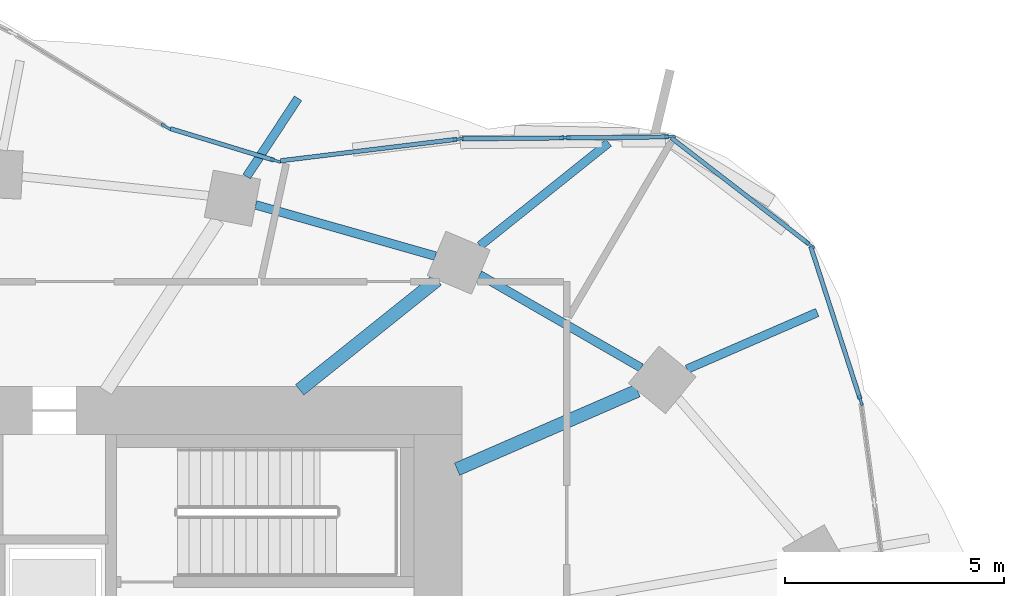
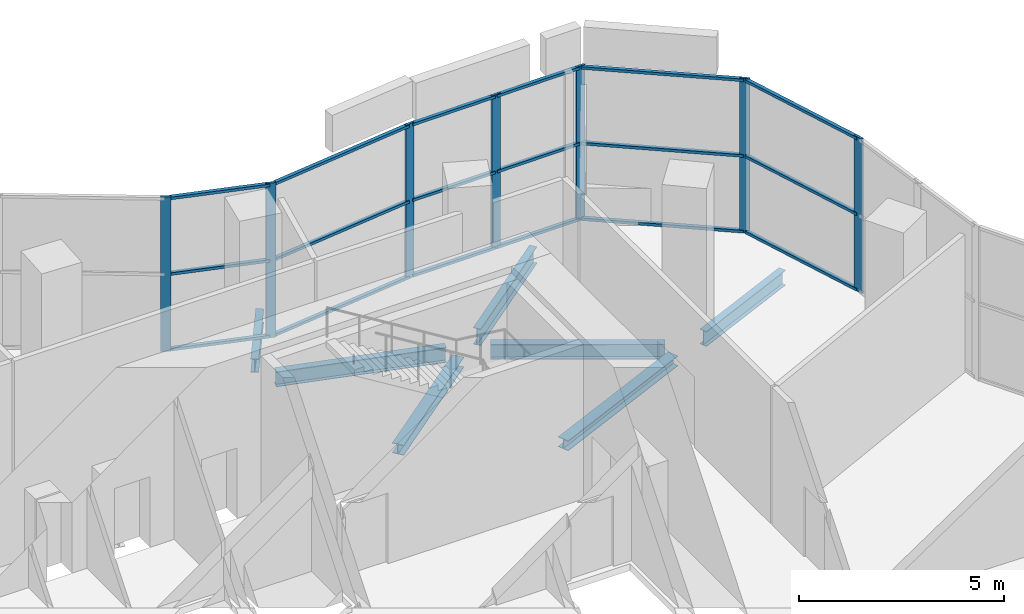
# One storey, part 8 of 16: 25 members, 7 beams, 6 elements without a shape of their own.
"""IFC4 building model written with IfcOpenShell, lengths in metres."""

from ifc_helpers import new_model, si_unit, direction, frame, origin, origin_2d, place, context, subcontext, project, spatial, rectangle, i_section, extrude, material, material_profile, profile_set, type_object, element, aggregate, save


model = new_model("IFC4")

# Units and contexts
model_context = context("Model", 3, precision=1e-05, world=origin(), true_north=direction((0.0, 1.0)))
body_context = subcontext(model_context, "Body", "Model", "MODEL_VIEW")
ifc_project = project(units=[si_unit("LENGTHUNIT", "METRE"), si_unit("AREAUNIT", "SQUARE_METRE"), si_unit("VOLUMEUNIT", "CUBIC_METRE"), si_unit("PLANEANGLEUNIT", "RADIAN"), si_unit("MASSUNIT", "GRAM", prefix="KILO")], contexts=[model_context])

# Site, building, storey
site_placement = place(None, origin())
site = spatial("IfcSite", under=ifc_project, at=site_placement, CompositionType="ELEMENT")
building_placement = place(site_placement, origin())
building = spatial("IfcBuilding", under=site, at=building_placement, Name="Rubra Terraces Tower", CompositionType="ELEMENT")
storey_placement = place(building_placement, frame((0.0, 0.0, 125.699951171875)))
storey = spatial("IfcBuildingStorey", under=building, at=storey_placement, Name="L30", CompositionType="ELEMENT", Elevation=125.699951171875)

# Beams
ifc_material_1 = material(Name="Steel Q355B", Category="steel")
ifc_material_profile_1 = material_profile(ifc_material_1, i_section(OverallWidth=0.199951171875, OverallDepth=0.39990234375, WebThickness=0.008056640625, FlangeThickness=0.012939453125, at=origin_2d()), Name="HN 400x200x8x13")
ifc_profile_set_1 = profile_set([ifc_material_profile_1], Name="Steel Q355B")
beam_type_1 = type_object("IfcBeamType", Name="CANTILEVER BEAM HN 400x200x8x13", PredefinedType="BEAM", material=ifc_profile_set_1)
beam_1_placement = place(storey_placement, frame((8.076904296875, 16.803955078125, -0.39990234375), z_axis=(0.549084625488, 0.835766758164, 0.0), x_axis=(-0.835766758164, 0.549084625488, 0.0)))
element("IfcBeam", 1, at=beam_1_placement, inside=storey, type_object=beam_type_1, Name="beam-L30-cant-05", PredefinedType="BEAM", context=body_context, shape_type="SweptSolid", body=[
    extrude(i_section(OverallWidth=0.199951171875, OverallDepth=0.39990234375, WebThickness=0.008056640625, FlangeThickness=0.012939453125, at=origin_2d()), origin(), (0.0, 0.0, 1.0), 2.141845703125),
])
ifc_material_profile_2 = material_profile(ifc_material_1, i_section(OverallWidth=0.198974609375, OverallDepth=0.446044921875, WebThickness=0.008056640625, FlangeThickness=0.011962890625, at=origin_2d()), Name="HN 446x199x8x12")
ifc_profile_set_2 = profile_set([ifc_material_profile_2], Name="Steel Q355B")
beam_type_2 = type_object("IfcBeamType", Name="CANTILEVER BEAM HN 446x199x8x12", PredefinedType="BEAM", material=ifc_profile_set_2)
beam_2_placement = place(storey_placement, frame((18.14990234375, 12.39697265625, -0.4228515625), z_axis=(0.916903974268, 0.399107882622, 0.0), x_axis=(-0.399107882622, 0.916903974268, 0.0)))
element("IfcBeam", 2, at=beam_2_placement, inside=storey, type_object=beam_type_2, Name="beam-L30-cant-03", PredefinedType="BEAM", context=body_context, shape_type="SweptSolid", body=[
    extrude(i_section(OverallWidth=0.198974609375, OverallDepth=0.446044921875, WebThickness=0.008056640625, FlangeThickness=0.011962890625, at=origin_2d()), origin(), (0.0, 0.0, 1.0), 3.25),
])
ifc_material_profile_3 = material_profile(ifc_material_1, i_section(OverallWidth=0.198974609375, OverallDepth=0.49609375, WebThickness=0.009033203125, FlangeThickness=0.013916015625, at=origin_2d()), Name="HN 496x199x9x14")
ifc_profile_set_3 = profile_set([ifc_material_profile_3], Name="Steel Q355B")
beam_type_3 = type_object("IfcBeamType", Name="CANTILEVER BEAM HN 496x199x9x14", PredefinedType="BEAM", material=ifc_profile_set_3)
beam_3_placement = place(storey_placement, frame((13.416015625, 15.222900390625, -0.447998046875), z_axis=(0.781134074702, 0.624363321584, 0.0), x_axis=(-0.624363321584, 0.781134074702, 0.0)))
element("IfcBeam", 3, at=beam_3_placement, inside=storey, type_object=beam_type_3, Name="beam-L30-cant-04", PredefinedType="BEAM", context=body_context, shape_type="SweptSolid", body=[
    extrude(i_section(OverallWidth=0.198974609375, OverallDepth=0.49609375, WebThickness=0.009033203125, FlangeThickness=0.013916015625, at=origin_2d()), origin(), (0.0, 0.0, 1.0), 3.770263671875),
])
ifc_material_profile_4 = material_profile(ifc_material_1, i_section(OverallWidth=0.304931640625, OverallDepth=0.300048828125, WebThickness=0.014892578125, FlangeThickness=0.014892578125, at=origin_2d()), Name="HW 300x305x15x15")
ifc_profile_set_4 = profile_set([ifc_material_profile_4], Name="Steel Q355B")
beam_type_4 = type_object("IfcBeamType", Name="FLOOR BEAM HW 300x305x15x15", PredefinedType="BEAM", material=ifc_profile_set_4)
beam_4_placement = place(storey_placement, frame((17.01806640625, 11.905029296875, -0.349853515625), z_axis=(-0.916965704309, -0.398966035047, 0.0), x_axis=(0.398966035047, -0.916965704309, 0.0)))
element("IfcBeam", 4, at=beam_4_placement, inside=storey, type_object=beam_type_4, Name="beam-L30-floor-03", PredefinedType="BEAM", context=body_context, shape_type="SweptSolid", body=[
    extrude(i_section(OverallWidth=0.304931640625, OverallDepth=0.300048828125, WebThickness=0.014892578125, FlangeThickness=0.014892578125, at=origin_2d()), origin(), (0.0, 0.0, 1.0), 4.501953125),
])
beam_5_placement = place(storey_placement, frame((12.43798828125, 14.44091796875, -0.349853515625), z_axis=(-0.781170160898, -0.624318171867, 0.0), x_axis=(0.624318171867, -0.781170160898, 0.0)))
element("IfcBeam", 5, at=beam_5_placement, inside=storey, type_object=beam_type_4, Name="beam-L30-floor-04", PredefinedType="BEAM", context=body_context, shape_type="SweptSolid", body=[
    extrude(i_section(OverallWidth=0.304931640625, OverallDepth=0.300048828125, WebThickness=0.014892578125, FlangeThickness=0.014892578125, at=origin_2d()), origin(), (0.0, 0.0, 1.0), 4.02978515625),
])
ifc_material_profile_5 = material_profile(ifc_material_1, i_section(OverallWidth=0.198974609375, OverallDepth=0.446044921875, WebThickness=0.008056640625, FlangeThickness=0.011962890625, at=origin_2d()), Name="HN 446x199x8x12")
ifc_profile_set_5 = profile_set([ifc_material_profile_5], Name="Steel Q355B")
beam_type_5 = type_object("IfcBeamType", Name="SPANDREL BEAM HN 446x199x8x12", PredefinedType="SPANDREL", material=ifc_profile_set_5)
beam_6_placement = place(storey_placement, frame((17.10009765625, 12.428955078125, -0.4228515625), z_axis=(-0.866560147027, 0.49907265161, 0.0), x_axis=(-0.49907265161, -0.866560147027, 0.0)))
element("IfcBeam", 6, at=beam_6_placement, inside=storey, type_object=beam_type_5, Name="beam-L30-spandrel-03", PredefinedType="SPANDREL", context=body_context, shape_type="SweptSolid", body=[
    extrude(i_section(OverallWidth=0.198974609375, OverallDepth=0.446044921875, WebThickness=0.008056640625, FlangeThickness=0.011962890625, at=origin_2d()), origin(), (0.0, 0.0, 1.0), 4.26171875),
])
beam_7_placement = place(storey_placement, frame((12.39404296875, 14.98388671875, -0.4228515625), z_axis=(-0.961693978406, 0.274125321518, 0.0), x_axis=(-0.274125321518, -0.961693978406, 0.0)))
element("IfcBeam", 7, at=beam_7_placement, inside=storey, type_object=beam_type_5, Name="beam-L30-spandrel-04", PredefinedType="SPANDREL", context=body_context, shape_type="SweptSolid", body=[
    extrude(i_section(OverallWidth=0.198974609375, OverallDepth=0.446044921875, WebThickness=0.008056640625, FlangeThickness=0.011962890625, at=origin_2d()), origin(), (0.0, 0.0, 1.0), 4.27587890625),
])

# Curtain wall, member
ifc_material_2 = material(Name="Aluminium and glass", Category="aluminium")
curtain_wall_type = type_object("IfcCurtainWallType", Name="Curtain wall Sky lobby glazing", PredefinedType="NOTDEFINED", material=ifc_material_2)
curtain_wall_1_placement = place(storey_placement, origin())
curtain_wall_1 = element("IfcCurtainWall", 8, at=curtain_wall_1_placement, inside=storey, type_object=curtain_wall_type, Name="L30 glazing bay 4", PredefinedType="NOTDEFINED")
ifc_material_3 = material(Name="Aluminium, anodised dark grey", Category="aluminium")
ifc_material_profile_6 = material_profile(ifc_material_3, rectangle(XDim=0.06005859375, YDim=0.25, at=origin_2d()), Name="AL 60x250")
ifc_profile_set_6 = profile_set([ifc_material_profile_6], Name="Aluminium, anodised dark grey")
member_type_1 = type_object("IfcMemberType", Name="Sky lobby glazing mullion 60 x 250", PredefinedType="MULLION", material=ifc_profile_set_6)
member_1_placement = place(storey_placement, frame((22.119140625, 11.687744140625, 0.0), z_axis=(0.0, 0.0, 1.0), x_axis=(-0.95128002407, -0.308328259824, 0.0)))
member_1 = element("IfcMember", 9, at=member_1_placement, type_object=member_type_1, Name="CW2 mullion 1", PredefinedType="MULLION", context=body_context, shape_type="SweptSolid", body=[
    extrude(rectangle(XDim=0.06005859375, YDim=0.25, at=origin_2d()), origin(), (0.0, 0.0, 1.0), 4.60009765625),
])

curtain_wall_2_placement = place(storey_placement, origin())
curtain_wall_2 = element("IfcCurtainWall", 10, at=curtain_wall_2_placement, inside=storey, type_object=curtain_wall_type, Name="L30 glazing bay 5", PredefinedType="NOTDEFINED")
member_2_placement = place(storey_placement, frame((20.96337890625, 15.240966796875, 0.0), z_axis=(0.0, 0.0, 1.0), x_axis=(-0.610947607117, -0.791671031021, 0.0)))
member_2 = element("IfcMember", 11, at=member_2_placement, type_object=member_type_1, Name="CW2 mullion 1", PredefinedType="MULLION", context=body_context, shape_type="SweptSolid", body=[
    extrude(rectangle(XDim=0.06005859375, YDim=0.25, at=origin_2d()), origin(), (0.0, 0.0, 1.0), 4.60009765625),
])

# Curtain wall, members
curtain_wall_3_placement = place(storey_placement, origin())
curtain_wall_3 = element("IfcCurtainWall", 12, at=curtain_wall_3_placement, inside=storey, type_object=curtain_wall_type, Name="L30 glazing bay 6", PredefinedType="NOTDEFINED")
member_3_placement = place(storey_placement, frame((17.7568359375, 17.711669921875, 0.0), z_axis=(0.0, 0.0, 1.0), x_axis=(0.0099842364, -0.99995015627, 0.0)))
member_3 = element("IfcMember", 13, at=member_3_placement, type_object=member_type_1, Name="CW2 mullion 1", PredefinedType="MULLION", context=body_context, shape_type="SweptSolid", body=[
    extrude(rectangle(XDim=0.06005859375, YDim=0.25, at=origin_2d()), origin(), (0.0, 0.0, 1.0), 4.60009765625),
])
member_4_placement = place(storey_placement, frame((15.363037109375, 17.687744140625, 0.0), z_axis=(0.0, 0.0, 1.0), x_axis=(0.0099842364, -0.99995015627, 0.0)))
member_4 = element("IfcMember", 14, at=member_4_placement, type_object=member_type_1, Name="CW2 mullion 2", PredefinedType="MULLION", context=body_context, shape_type="SweptSolid", body=[
    extrude(rectangle(XDim=0.06005859375, YDim=0.25, at=origin_2d()), origin(), (0.0, 0.0, 1.0), 4.60009765625),
])

# Curtain wall, member
curtain_wall_4_placement = place(storey_placement, origin())
curtain_wall_4 = element("IfcCurtainWall", 15, at=curtain_wall_4_placement, inside=storey, type_object=curtain_wall_type, Name="L30 glazing bay 7", PredefinedType="NOTDEFINED")
member_5_placement = place(storey_placement, frame((12.917724609375, 17.660400390625, 0.0), z_axis=(0.0, 0.0, 1.0), x_axis=(0.121023952312, -0.992649587199, 0.0)))
member_5 = element("IfcMember", 16, at=member_5_placement, type_object=member_type_1, Name="CW2 mullion 1", PredefinedType="MULLION", context=body_context, shape_type="SweptSolid", body=[
    extrude(rectangle(XDim=0.06005859375, YDim=0.25, at=origin_2d()), origin(), (0.0, 0.0, 1.0), 4.60009765625),
])

curtain_wall_5_placement = place(storey_placement, origin())
curtain_wall_5 = element("IfcCurtainWall", 17, at=curtain_wall_5_placement, inside=storey, type_object=curtain_wall_type, Name="L30 glazing bay 8", PredefinedType="NOTDEFINED")
member_6_placement = place(storey_placement, frame((8.733154296875, 17.1689453125, 0.0), z_axis=(0.0, 0.0, 1.0), x_axis=(-0.291224321899, -0.956654793713, 0.0)))
member_6 = element("IfcMember", 18, at=member_6_placement, type_object=member_type_1, Name="CW2 mullion 1", PredefinedType="MULLION", context=body_context, shape_type="SweptSolid", body=[
    extrude(rectangle(XDim=0.06005859375, YDim=0.25, at=origin_2d()), origin(), (0.0, 0.0, 1.0), 4.60009765625),
])

curtain_wall_6_placement = place(storey_placement, origin())
curtain_wall_6 = element("IfcCurtainWall", 19, at=curtain_wall_6_placement, inside=storey, type_object=curtain_wall_type, Name="L30 glazing bay 9", PredefinedType="NOTDEFINED")
member_7_placement = place(storey_placement, frame((6.22998046875, 17.941162109375, 0.0), z_axis=(0.0, 0.0, 1.0), x_axis=(-0.522031140305, -0.852926426225, 0.0)))
member_7 = element("IfcMember", 20, at=member_7_placement, type_object=member_type_1, Name="CW2 mullion 1", PredefinedType="MULLION", context=body_context, shape_type="SweptSolid", body=[
    extrude(rectangle(XDim=0.06005859375, YDim=0.25, at=origin_2d()), origin(), (0.0, 0.0, 1.0), 4.60009765625),
])
aggregate(curtain_wall_6, [member_7])

# Member
ifc_material_profile_7 = material_profile(ifc_material_3, rectangle(XDim=0.10009765625, YDim=0.080078125, at=origin_2d()), Name="AL 100x80")
ifc_profile_set_7 = profile_set([ifc_material_profile_7], Name="Aluminium, anodised dark grey")
member_type_2 = type_object("IfcMemberType", Name="Sky lobby glazing transom 100 x 80", PredefinedType="USERDEFINED", material=ifc_profile_set_7)
member_8_placement = place(storey_placement, frame((22.10986328125, 11.71630859375, 0.050048828125), z_axis=(-0.308301011025, 0.951288855501, 0.0), x_axis=(-0.951288855501, -0.308301011025, 0.0)))
member_8 = element("IfcMember", 21, at=member_8_placement, type_object=member_type_2, Name="CW2 transom 1.1", ObjectType="TRANSOM", PredefinedType="USERDEFINED", context=body_context, shape_type="SweptSolid", body=[
    extrude(rectangle(XDim=0.10009765625, YDim=0.080078125, at=origin_2d()), origin(), (0.0, 0.0, 1.0), 3.6640625),
])

member_9_placement = place(storey_placement, frame((22.10986328125, 11.71630859375, 2.300048828125), z_axis=(-0.308301011025, 0.951288855501, 0.0), x_axis=(-0.951288855501, -0.308301011025, 0.0)))
member_9 = element("IfcMember", 22, at=member_9_placement, type_object=member_type_2, Name="CW2 transom 1.2", ObjectType="TRANSOM", PredefinedType="USERDEFINED", context=body_context, shape_type="SweptSolid", body=[
    extrude(rectangle(XDim=0.10009765625, YDim=0.080078125, at=origin_2d()), origin(), (0.0, 0.0, 1.0), 3.6640625),
])

member_10_placement = place(storey_placement, frame((22.10986328125, 11.71630859375, 4.550048828125), z_axis=(-0.308301011025, 0.951288855501, 0.0), x_axis=(-0.951288855501, -0.308301011025, 0.0)))
member_10 = element("IfcMember", 23, at=member_10_placement, type_object=member_type_2, Name="CW2 transom 1.3", ObjectType="TRANSOM", PredefinedType="USERDEFINED", context=body_context, shape_type="SweptSolid", body=[
    extrude(rectangle(XDim=0.10009765625, YDim=0.080078125, at=origin_2d()), origin(), (0.0, 0.0, 1.0), 3.6640625),
])

aggregate(curtain_wall_1, [member_1, member_8, member_9, member_10])

member_11_placement = place(storey_placement, frame((20.939697265625, 15.25927734375, 0.050048828125), z_axis=(-0.791665272733, 0.610955068683, 0.0), x_axis=(-0.610955068683, -0.791665272733, 0.0)))
member_11 = element("IfcMember", 24, at=member_11_placement, type_object=member_type_2, Name="CW2 transom 1.1", ObjectType="TRANSOM", PredefinedType="USERDEFINED", context=body_context, shape_type="SweptSolid", body=[
    extrude(rectangle(XDim=0.10009765625, YDim=0.080078125, at=origin_2d()), origin(), (0.0, 0.0, 1.0), 3.97998046875),
])

member_12_placement = place(storey_placement, frame((20.939697265625, 15.25927734375, 2.300048828125), z_axis=(-0.791665272733, 0.610955068683, 0.0), x_axis=(-0.610955068683, -0.791665272733, 0.0)))
member_12 = element("IfcMember", 25, at=member_12_placement, type_object=member_type_2, Name="CW2 transom 1.2", ObjectType="TRANSOM", PredefinedType="USERDEFINED", context=body_context, shape_type="SweptSolid", body=[
    extrude(rectangle(XDim=0.10009765625, YDim=0.080078125, at=origin_2d()), origin(), (0.0, 0.0, 1.0), 3.97998046875),
])

member_13_placement = place(storey_placement, frame((20.939697265625, 15.25927734375, 4.550048828125), z_axis=(-0.791665272733, 0.610955068683, 0.0), x_axis=(-0.610955068683, -0.791665272733, 0.0)))
member_13 = element("IfcMember", 26, at=member_13_placement, type_object=member_type_2, Name="CW2 transom 1.3", ObjectType="TRANSOM", PredefinedType="USERDEFINED", context=body_context, shape_type="SweptSolid", body=[
    extrude(rectangle(XDim=0.10009765625, YDim=0.080078125, at=origin_2d()), origin(), (0.0, 0.0, 1.0), 3.97998046875),
])

aggregate(curtain_wall_2, [member_2, member_11, member_12, member_13])

member_14_placement = place(storey_placement, frame((17.726806640625, 17.71142578125, 0.050048828125), z_axis=(-0.999949573979, -0.010042385093, 0.0), x_axis=(0.010042385093, -0.999949573979, 0.0)))
member_14 = element("IfcMember", 27, at=member_14_placement, type_object=member_type_2, Name="CW2 transom 1.1", ObjectType="TRANSOM", PredefinedType="USERDEFINED", context=body_context, shape_type="SweptSolid", body=[
    extrude(rectangle(XDim=0.10009765625, YDim=0.080078125, at=origin_2d()), origin(), (0.0, 0.0, 1.0), 2.333740234375),
])

member_15_placement = place(storey_placement, frame((17.726806640625, 17.71142578125, 2.300048828125), z_axis=(-0.999949573979, -0.010042385093, 0.0), x_axis=(0.010042385093, -0.999949573979, 0.0)))
member_15 = element("IfcMember", 28, at=member_15_placement, type_object=member_type_2, Name="CW2 transom 1.2", ObjectType="TRANSOM", PredefinedType="USERDEFINED", context=body_context, shape_type="SweptSolid", body=[
    extrude(rectangle(XDim=0.10009765625, YDim=0.080078125, at=origin_2d()), origin(), (0.0, 0.0, 1.0), 2.333740234375),
])

member_16_placement = place(storey_placement, frame((17.726806640625, 17.71142578125, 4.550048828125), z_axis=(-0.999949573979, -0.010042385093, 0.0), x_axis=(0.010042385093, -0.999949573979, 0.0)))
member_16 = element("IfcMember", 29, at=member_16_placement, type_object=member_type_2, Name="CW2 transom 1.3", ObjectType="TRANSOM", PredefinedType="USERDEFINED", context=body_context, shape_type="SweptSolid", body=[
    extrude(rectangle(XDim=0.10009765625, YDim=0.080078125, at=origin_2d()), origin(), (0.0, 0.0, 1.0), 2.333740234375),
])

member_17_placement = place(storey_placement, frame((15.3330078125, 17.6875, 0.050048828125), z_axis=(-0.99995060864, -0.009938826932, 0.0), x_axis=(0.009938826932, -0.99995060864, 0.0)))
member_17 = element("IfcMember", 30, at=member_17_placement, type_object=member_type_2, Name="CW2 transom 2.1", ObjectType="TRANSOM", PredefinedType="USERDEFINED", context=body_context, shape_type="SweptSolid", body=[
    extrude(rectangle(XDim=0.10009765625, YDim=0.080078125, at=origin_2d()), origin(), (0.0, 0.0, 1.0), 2.33349609375),
])

member_18_placement = place(storey_placement, frame((15.3330078125, 17.6875, 2.300048828125), z_axis=(-0.99995060864, -0.009938826932, 0.0), x_axis=(0.009938826932, -0.99995060864, 0.0)))
member_18 = element("IfcMember", 31, at=member_18_placement, type_object=member_type_2, Name="CW2 transom 2.2", ObjectType="TRANSOM", PredefinedType="USERDEFINED", context=body_context, shape_type="SweptSolid", body=[
    extrude(rectangle(XDim=0.10009765625, YDim=0.080078125, at=origin_2d()), origin(), (0.0, 0.0, 1.0), 2.33349609375),
])

member_19_placement = place(storey_placement, frame((15.3330078125, 17.6875, 4.550048828125), z_axis=(-0.99995060864, -0.009938826932, 0.0), x_axis=(0.009938826932, -0.99995060864, 0.0)))
member_19 = element("IfcMember", 32, at=member_19_placement, type_object=member_type_2, Name="CW2 transom 2.3", ObjectType="TRANSOM", PredefinedType="USERDEFINED", context=body_context, shape_type="SweptSolid", body=[
    extrude(rectangle(XDim=0.10009765625, YDim=0.080078125, at=origin_2d()), origin(), (0.0, 0.0, 1.0), 2.33349609375),
])

aggregate(curtain_wall_3, [member_3, member_4, member_14, member_15, member_16, member_17, member_18, member_19])

member_20_placement = place(storey_placement, frame((12.887939453125, 17.65673828125, 0.050048828125), z_axis=(-0.992649220171, -0.121026962677, 0.0), x_axis=(0.121026962677, -0.992649220171, 0.0)))
member_20 = element("IfcMember", 33, at=member_20_placement, type_object=member_type_2, Name="CW2 transom 1.1", ObjectType="TRANSOM", PredefinedType="USERDEFINED", context=body_context, shape_type="SweptSolid", body=[
    extrude(rectangle(XDim=0.10009765625, YDim=0.080078125, at=origin_2d()), origin(), (0.0, 0.0, 1.0), 4.066650390625),
])

member_21_placement = place(storey_placement, frame((12.887939453125, 17.65673828125, 2.300048828125), z_axis=(-0.992649220171, -0.121026962677, 0.0), x_axis=(0.121026962677, -0.992649220171, 0.0)))
member_21 = element("IfcMember", 34, at=member_21_placement, type_object=member_type_2, Name="CW2 transom 1.2", ObjectType="TRANSOM", PredefinedType="USERDEFINED", context=body_context, shape_type="SweptSolid", body=[
    extrude(rectangle(XDim=0.10009765625, YDim=0.080078125, at=origin_2d()), origin(), (0.0, 0.0, 1.0), 4.066650390625),
])

member_22_placement = place(storey_placement, frame((12.887939453125, 17.65673828125, 4.550048828125), z_axis=(-0.992649220171, -0.121026962677, 0.0), x_axis=(0.121026962677, -0.992649220171, 0.0)))
member_22 = element("IfcMember", 35, at=member_22_placement, type_object=member_type_2, Name="CW2 transom 1.3", ObjectType="TRANSOM", PredefinedType="USERDEFINED", context=body_context, shape_type="SweptSolid", body=[
    extrude(rectangle(XDim=0.10009765625, YDim=0.080078125, at=origin_2d()), origin(), (0.0, 0.0, 1.0), 4.066650390625),
])

aggregate(curtain_wall_4, [member_5, member_20, member_21, member_22])

member_23_placement = place(storey_placement, frame((8.704345703125, 17.177490234375, 0.050048828125), z_axis=(-0.956640517119, 0.291271215547, 0.0), x_axis=(-0.291271215547, -0.956640517119, 0.0)))
member_23 = element("IfcMember", 36, at=member_23_placement, type_object=member_type_2, Name="CW2 transom 1.1", ObjectType="TRANSOM", PredefinedType="USERDEFINED", context=body_context, shape_type="SweptSolid", body=[
    extrude(rectangle(XDim=0.10009765625, YDim=0.080078125, at=origin_2d()), origin(), (0.0, 0.0, 1.0), 2.48193359375),
])

member_24_placement = place(storey_placement, frame((8.704345703125, 17.177490234375, 2.300048828125), z_axis=(-0.956640517119, 0.291271215547, 0.0), x_axis=(-0.291271215547, -0.956640517119, 0.0)))
member_24 = element("IfcMember", 37, at=member_24_placement, type_object=member_type_2, Name="CW2 transom 1.2", ObjectType="TRANSOM", PredefinedType="USERDEFINED", context=body_context, shape_type="SweptSolid", body=[
    extrude(rectangle(XDim=0.10009765625, YDim=0.080078125, at=origin_2d()), origin(), (0.0, 0.0, 1.0), 2.48193359375),
])

member_25_placement = place(storey_placement, frame((8.704345703125, 17.177490234375, 4.550048828125), z_axis=(-0.956640517119, 0.291271215547, 0.0), x_axis=(-0.291271215547, -0.956640517119, 0.0)))
member_25 = element("IfcMember", 38, at=member_25_placement, type_object=member_type_2, Name="CW2 transom 1.3", ObjectType="TRANSOM", PredefinedType="USERDEFINED", context=body_context, shape_type="SweptSolid", body=[
    extrude(rectangle(XDim=0.10009765625, YDim=0.080078125, at=origin_2d()), origin(), (0.0, 0.0, 1.0), 2.48193359375),
])

aggregate(curtain_wall_5, [member_6, member_23, member_24, member_25])

save(model, "model.ifc")
